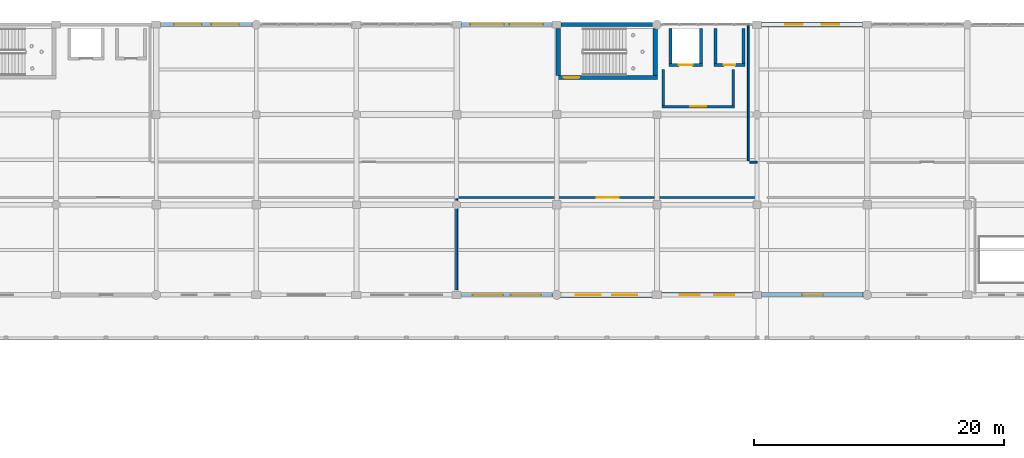
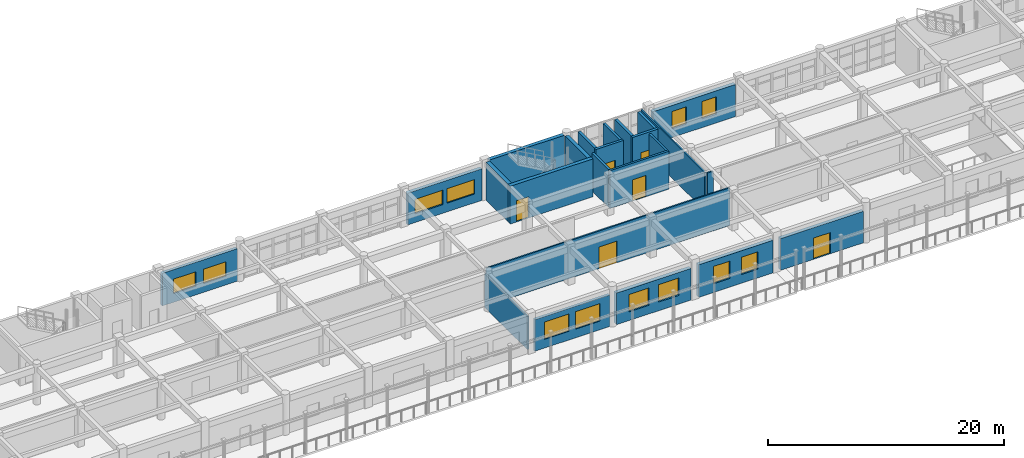
# One storey, part 171 of 195: 24 walls, 12 windows, 6 doors, 18 openings.
"""IFC4 building model written with IfcOpenShell, lengths in metres."""

from ifc_helpers import new_model, si_unit, direction, frame, frame_2d, origin, place, context, subcontext, project, spatial, rectangle, extrude, material, layer, layer_set, type_object, element, fill, save


model = new_model("IFC4")

# Units and contexts
model_context = context("Model", 3, precision=1e-05, world=origin(), true_north=direction((0.0, 1.0)))
body_context = subcontext(model_context, "Body", "Model", "MODEL_VIEW")
ifc_project = project(units=[si_unit("LENGTHUNIT", "METRE"), si_unit("AREAUNIT", "SQUARE_METRE"), si_unit("VOLUMEUNIT", "CUBIC_METRE"), si_unit("PLANEANGLEUNIT", "RADIAN"), si_unit("MASSUNIT", "GRAM", prefix="KILO")], contexts=[model_context])

# Site, building, storey
site_placement = place(None, origin())
site = spatial("IfcSite", under=ifc_project, at=site_placement, CompositionType="ELEMENT")
building_placement = place(site_placement, origin())
building = spatial("IfcBuilding", under=site, at=building_placement, Name="Kharva Crest Polytechnic", CompositionType="ELEMENT")
storey_placement = place(building_placement, frame((0.0, 0.0, 9.0)))
storey = spatial("IfcBuildingStorey", under=building, at=storey_placement, Name="L02", CompositionType="ELEMENT", Elevation=9.0)

# Wall, opening, door
ifc_material_1 = material(Name="Concrete C40/50", Category="concrete")
ifc_layer_1 = layer(ifc_material_1, 0.35009765625, Name="Concrete C40/50")
ifc_layer_set_1 = layer_set([ifc_layer_1], Name="Concrete C40/50")
wall_type_1 = type_object("IfcWallType", Name="WL-CORE-CW1-350", PredefinedType="SHEAR", material=ifc_layer_set_1)
wall_1_placement = place(storey_placement, frame((103.949951171875, 117.764892578125, 0.0), z_axis=(0.0, 0.0, 1.0), x_axis=(1.0, 0.0, 0.0)))
wall_1 = element("IfcWall", 1, at=wall_1_placement, inside=storey, type_object=wall_type_1, Name="L02 North Crest Firefighting Core C4 South Shear Wall", PredefinedType="SHEAR", context=body_context, shape_type="SweptSolid", body=[
    extrude(rectangle(XDim=8.10009765625, YDim=0.35009765625, at=frame_2d((4.050048828125, 0.0))), origin(), (0.0, 0.0, 1.0), 3.919921875),
])
opening_1_placement = place(wall_1_placement, frame((0.60009765625, 0.0, 0.0)))
opening_1 = element("IfcOpeningElement", 2, at=opening_1_placement, cuts=wall_1, Name="Opening FD1B", PredefinedType="OPENING", context=body_context, shape_type="SweptSolid", body=[
    extrude(rectangle(XDim=1.25, YDim=2.199951171875, at=frame_2d((0.625, 1.10009765625))), frame((0.0, 0.18505859375, 0.0), z_axis=(0.0, -1.0, 0.0), x_axis=(1.0, 0.0, 0.0)), (0.0, 0.0, 1.0), 0.3701171875),
])
ifc_material_2 = material(Name="Teak timber", Category="wood")
door_type_1 = type_object("IfcDoorType", Name="DR-STAIR-1250X2200", OperationType="NOTDEFINED", PredefinedType="DOOR", material=ifc_material_2)
door_1_placement = place(opening_1_placement, origin())
door_1 = element("IfcDoor", 3, at=door_1_placement, inside=storey, type_object=door_type_1, Name="L02 ST-04 Stair Door", OperationType="SINGLE_SWING_LEFT", OverallHeight=2.199951171875, OverallWidth=1.25, PredefinedType="DOOR", context=body_context, shape_type="SweptSolid", body=[
    extrude(rectangle(XDim=1.25, YDim=2.199951171875, at=frame_2d((0.625, 1.10009765625))), frame((0.0, 0.02490234375, 0.0), z_axis=(0.0, -1.0, 0.0), x_axis=(1.0, 0.0, 0.0)), (0.0, 0.0, 1.0), 0.050048828125),
])
fill(opening_1, door_1)

# Walls
for number, where, z_axis, x_axis, name in (
    (4, (104.125, 117.93994140625, 0.0), (0.0, 0.0, 1.0), (0.0, 1.0, 0.0), "L02 North Crest Firefighting Core C4 West Shear Wall"),
    (5, (111.875, 117.93994140625, 0.0), (0.0, 0.0, 1.0), (0.0, 1.0, 0.0), "L02 North Crest Firefighting Core C4 East Shear Wall"),
):
    element("IfcWall", number, at=place(storey_placement, frame(where, z_axis=z_axis, x_axis=x_axis)), inside=storey, type_object=wall_type_1, Name=name, PredefinedType="SHEAR", context=body_context, shape_type="SweptSolid", body=[
        extrude(rectangle(XDim=3.760009765625, YDim=0.35009765625, at=frame_2d((1.8798828125, 0.0))), origin(), (0.0, 0.0, 1.0), 3.919921875),
    ])

# Wall, openings, windows
ifc_material_3 = material(Name="Kiln brick masonry", Category="masonry")
ifc_layer_2 = layer(ifc_material_3, 0.260009765625, Name="Kiln brick masonry")
ifc_layer_set_2 = layer_set([ifc_layer_2], Name="Kiln brick masonry")
wall_type_2 = type_object("IfcWallType", Name="WL-EXT-BRK-260", PredefinedType="SOLIDWALL", material=ifc_layer_set_2)
wall_2_placement = place(storey_placement, frame((96.35498046875, 100.39990234375, 0.0), z_axis=(0.0, 0.0, 1.0), x_axis=(1.0, 0.0, 0.0)))
wall_2 = element("IfcWall", 6, at=wall_2_placement, inside=storey, type_object=wall_type_2, Name="L02 Exterior Brick Wall 269", PredefinedType="SOLIDWALL", context=body_context, shape_type="SweptSolid", body=[
    extrude(rectangle(XDim=7.342529296875, YDim=0.260009765625, at=frame_2d((3.67138671875, 0.0))), origin(), (0.0, 0.0, 1.0), 3.27001953125),
])
opening_2_placement = place(wall_2_placement, frame((0.9541015625, 0.0, 0.89990234375)))
opening_2 = element("IfcOpeningElement", 7, at=opening_2_placement, cuts=wall_2, Name="Opening W02", PredefinedType="OPENING", context=body_context, shape_type="SweptSolid", body=[
    extrude(rectangle(XDim=2.39990234375, YDim=1.800048828125, at=frame_2d((1.199951171875, 0.89990234375))), frame((0.0, 0.139892578125, 0.0), z_axis=(0.0, -1.0, 0.0), x_axis=(1.0, 0.0, 0.0)), (0.0, 0.0, 1.0), 0.280029296875),
])
opening_3_placement = place(wall_2_placement, frame((3.988037109375, 0.0, 0.89990234375)))
opening_3 = element("IfcOpeningElement", 8, at=opening_3_placement, cuts=wall_2, Name="Opening W02", PredefinedType="OPENING", context=body_context, shape_type="SweptSolid", body=[
    extrude(rectangle(XDim=2.39990234375, YDim=1.800048828125, at=frame_2d((1.199951171875, 0.89990234375))), frame((0.0, 0.139892578125, 0.0), z_axis=(0.0, -1.0, 0.0), x_axis=(1.0, 0.0, 0.0)), (0.0, 0.0, 1.0), 0.280029296875),
])
ifc_material_4 = material(Name="Anodised aluminium", Category="aluminium")
window_type_1 = type_object("IfcWindowType", Name="WIN-ALU-2400X1800", PartitioningType="SINGLE_PANEL", PredefinedType="WINDOW", material=ifc_material_4)
window_1_placement = place(opening_2_placement, origin())
window_1 = element("IfcWindow", 9, at=window_1_placement, inside=storey, type_object=window_type_1, Name="L02 Exterior Window 359", OverallHeight=1.800048828125, OverallWidth=2.39990234375, PartitioningType="SINGLE_PANEL", PredefinedType="WINDOW", context=body_context, shape_type="SweptSolid", body=[
    extrude(rectangle(XDim=2.39990234375, YDim=1.800048828125, at=frame_2d((1.199951171875, 0.89990234375))), frame((0.0, 0.030029296875, 0.0), z_axis=(0.0, -1.0, 0.0), x_axis=(1.0, 0.0, 0.0)), (0.0, 0.0, 1.0), 0.06005859375),
])
fill(opening_2, window_1)
window_2_placement = place(opening_3_placement, origin())
window_2 = element("IfcWindow", 10, at=window_2_placement, inside=storey, type_object=window_type_1, Name="L02 Exterior Window 360", OverallHeight=1.800048828125, OverallWidth=2.39990234375, PartitioningType="SINGLE_PANEL", PredefinedType="WINDOW", context=body_context, shape_type="SweptSolid", body=[
    extrude(rectangle(XDim=2.39990234375, YDim=1.800048828125, at=frame_2d((1.199951171875, 0.89990234375))), frame((0.0, 0.030029296875, 0.0), z_axis=(0.0, -1.0, 0.0), x_axis=(1.0, 0.0, 0.0)), (0.0, 0.0, 1.0), 0.06005859375),
])
fill(opening_3, window_2)

ifc_layer_3 = layer(ifc_material_3, 0.2900390625, Name="Kiln brick masonry")
ifc_layer_set_3 = layer_set([ifc_layer_3], Name="Kiln brick masonry")
wall_type_3 = type_object("IfcWallType", Name="WL-EXT-BRK-290", PredefinedType="SOLIDWALL", material=ifc_layer_set_3)
wall_3_placement = place(storey_placement, frame((79.697509765625, 122.0, 0.0), z_axis=(0.0, 0.0, 1.0), x_axis=(-1.0, 0.0, 0.0)))
wall_3 = element("IfcWall", 11, at=wall_3_placement, inside=storey, type_object=wall_type_3, Name="L02 Exterior Brick Wall 292", PredefinedType="SOLIDWALL", context=body_context, shape_type="SweptSolid", body=[
    extrude(rectangle(XDim=7.342529296875, YDim=0.2900390625, at=frame_2d((3.67138671875, 0.0))), origin(), (0.0, 0.0, 1.0), 3.3701171875),
])
opening_4_placement = place(wall_3_placement, frame((1.087890625, 0.0, 0.89990234375)))
opening_4 = element("IfcOpeningElement", 12, at=opening_4_placement, cuts=wall_3, Name="Opening W11", PredefinedType="OPENING", context=body_context, shape_type="SweptSolid", body=[
    extrude(rectangle(XDim=2.199951171875, YDim=1.5, at=frame_2d((1.10009765625, 0.75))), frame((0.0, 0.155029296875, 0.0), z_axis=(0.0, -1.0, 0.0), x_axis=(1.0, 0.0, 0.0)), (0.0, 0.0, 1.0), 0.31005859375),
])
opening_5_placement = place(wall_3_placement, frame((4.054931640625, 0.0, 0.89990234375)))
opening_5 = element("IfcOpeningElement", 13, at=opening_5_placement, cuts=wall_3, Name="Opening W11", PredefinedType="OPENING", context=body_context, shape_type="SweptSolid", body=[
    extrude(rectangle(XDim=2.199951171875, YDim=1.5, at=frame_2d((1.10009765625, 0.75))), frame((0.0, 0.155029296875, 0.0), z_axis=(0.0, -1.0, 0.0), x_axis=(1.0, 0.0, 0.0)), (0.0, 0.0, 1.0), 0.31005859375),
])
window_type_2 = type_object("IfcWindowType", Name="WIN-ALU-2200X1500", PartitioningType="SINGLE_PANEL", PredefinedType="WINDOW", material=ifc_material_4)
window_3_placement = place(opening_4_placement, origin())
window_3 = element("IfcWindow", 14, at=window_3_placement, inside=storey, type_object=window_type_2, Name="L02 Exterior Window 392", OverallHeight=1.5, OverallWidth=2.199951171875, PartitioningType="SINGLE_PANEL", PredefinedType="WINDOW", context=body_context, shape_type="SweptSolid", body=[
    extrude(rectangle(XDim=2.199951171875, YDim=1.5, at=frame_2d((1.10009765625, 0.75))), frame((0.0, 0.030029296875, 0.0), z_axis=(0.0, -1.0, 0.0), x_axis=(1.0, 0.0, 0.0)), (0.0, 0.0, 1.0), 0.06005859375),
])
fill(opening_4, window_3)
window_4_placement = place(opening_5_placement, origin())
window_4 = element("IfcWindow", 15, at=window_4_placement, inside=storey, type_object=window_type_2, Name="L02 Exterior Window 393", OverallHeight=1.5, OverallWidth=2.199951171875, PartitioningType="SINGLE_PANEL", PredefinedType="WINDOW", context=body_context, shape_type="SweptSolid", body=[
    extrude(rectangle(XDim=2.199951171875, YDim=1.5, at=frame_2d((1.10009765625, 0.75))), frame((0.0, 0.030029296875, 0.0), z_axis=(0.0, -1.0, 0.0), x_axis=(1.0, 0.0, 0.0)), (0.0, 0.0, 1.0), 0.06005859375),
])
fill(opening_5, window_4)

ifc_layer_4 = layer(ifc_material_3, 0.3349609375, Name="Kiln brick masonry")
ifc_layer_set_4 = layer_set([ifc_layer_4], Name="Kiln brick masonry")
wall_type_4 = type_object("IfcWallType", Name="WL-EXT-BRK-335", PredefinedType="SOLIDWALL", material=ifc_layer_set_4)
wall_4_placement = place(storey_placement, frame((103.64501953125, 122.0, 0.0), z_axis=(0.0, 0.0, 1.0), x_axis=(-1.0, 0.0, 0.0)))
wall_4 = element("IfcWall", 16, at=wall_4_placement, inside=storey, type_object=wall_type_4, Name="L02 Exterior Brick Wall 291", PredefinedType="SOLIDWALL", context=body_context, shape_type="SweptSolid", body=[
    extrude(rectangle(XDim=7.27490234375, YDim=0.3349609375, at=frame_2d((3.637451171875, 0.0))), origin(), (0.0, 0.0, 1.0), 3.27001953125),
])
opening_6_placement = place(wall_4_placement, frame((0.73193359375, 0.0, 0.89990234375)))
opening_6 = element("IfcOpeningElement", 17, at=opening_6_placement, cuts=wall_4, Name="Opening W09", PredefinedType="OPENING", context=body_context, shape_type="SweptSolid", body=[
    extrude(rectangle(XDim=2.699951171875, YDim=1.5, at=frame_2d((1.35009765625, 0.75))), frame((0.0, 0.177490234375, 0.0), z_axis=(0.0, -1.0, 0.0), x_axis=(1.0, 0.0, 0.0)), (0.0, 0.0, 1.0), 0.35498046875),
])
opening_7_placement = place(wall_4_placement, frame((3.843017578125, 0.0, 0.89990234375)))
opening_7 = element("IfcOpeningElement", 18, at=opening_7_placement, cuts=wall_4, Name="Opening W09", PredefinedType="OPENING", context=body_context, shape_type="SweptSolid", body=[
    extrude(rectangle(XDim=2.699951171875, YDim=1.5, at=frame_2d((1.35009765625, 0.75))), frame((0.0, 0.177490234375, 0.0), z_axis=(0.0, -1.0, 0.0), x_axis=(1.0, 0.0, 0.0)), (0.0, 0.0, 1.0), 0.35498046875),
])
window_type_3 = type_object("IfcWindowType", Name="WIN-ALU-2700X1500", PartitioningType="SINGLE_PANEL", PredefinedType="WINDOW", material=ifc_material_4)
window_5_placement = place(opening_6_placement, origin())
window_5 = element("IfcWindow", 19, at=window_5_placement, inside=storey, type_object=window_type_3, Name="L02 Exterior Window 390", OverallHeight=1.5, OverallWidth=2.699951171875, PartitioningType="SINGLE_PANEL", PredefinedType="WINDOW", context=body_context, shape_type="SweptSolid", body=[
    extrude(rectangle(XDim=2.699951171875, YDim=1.5, at=frame_2d((1.35009765625, 0.75))), frame((0.0, 0.030029296875, 0.0), z_axis=(0.0, -1.0, 0.0), x_axis=(1.0, 0.0, 0.0)), (0.0, 0.0, 1.0), 0.06005859375),
])
fill(opening_6, window_5)
window_6_placement = place(opening_7_placement, origin())
window_6 = element("IfcWindow", 20, at=window_6_placement, inside=storey, type_object=window_type_3, Name="L02 Exterior Window 391", OverallHeight=1.5, OverallWidth=2.699951171875, PartitioningType="SINGLE_PANEL", PredefinedType="WINDOW", context=body_context, shape_type="SweptSolid", body=[
    extrude(rectangle(XDim=2.699951171875, YDim=1.5, at=frame_2d((1.35009765625, 0.75))), frame((0.0, 0.030029296875, 0.0), z_axis=(0.0, -1.0, 0.0), x_axis=(1.0, 0.0, 0.0)), (0.0, 0.0, 1.0), 0.06005859375),
])
fill(opening_7, window_6)

# Wall, opening, door
ifc_layer_5 = layer(ifc_material_3, 0.35009765625, Name="Kiln brick masonry")
ifc_layer_set_5 = layer_set([ifc_layer_5], Name="Kiln brick masonry")
wall_type_5 = type_object("IfcWallType", Name="WL-EXT-BRK-350", PredefinedType="SOLIDWALL", material=ifc_layer_set_5)
wall_5_placement = place(storey_placement, frame((120.3701171875, 100.39990234375, 0.0), z_axis=(0.0, 0.0, 1.0), x_axis=(1.0, 0.0, 0.0)))
wall_5 = element("IfcWall", 21, at=wall_5_placement, inside=storey, type_object=wall_type_5, Name="L02 Exterior Brick Wall 272", PredefinedType="SOLIDWALL", context=body_context, shape_type="SweptSolid", body=[
    extrude(rectangle(XDim=8.12744140625, YDim=0.35009765625, at=frame_2d((4.063720703125, 0.0))), origin(), (0.0, 0.0, 1.0), 3.27001953125),
])
opening_8_placement = place(wall_5_placement, frame((3.239013671875, 0.0, 0.0)))
opening_8 = element("IfcOpeningElement", 22, at=opening_8_placement, cuts=wall_5, Name="Opening ED7", PredefinedType="OPENING", context=body_context, shape_type="SweptSolid", body=[
    extrude(rectangle(XDim=1.64990234375, YDim=2.199951171875, at=frame_2d((0.824951171875, 1.10009765625))), frame((0.0, 0.18505859375, 0.0), z_axis=(0.0, -1.0, 0.0), x_axis=(1.0, 0.0, 0.0)), (0.0, 0.0, 1.0), 0.3701171875),
])
door_type_2 = type_object("IfcDoorType", Name="DR-EXT-TER-1650X2200", OperationType="NOTDEFINED", PredefinedType="DOOR", material=ifc_material_4)
door_2_placement = place(opening_8_placement, frame((1.64990234375, 0.0, 0.0), z_axis=(0.0, 0.0, 1.0), x_axis=(-1.0, 0.0, 0.0)))
door_2 = element("IfcDoor", 23, at=door_2_placement, inside=storey, type_object=door_type_2, Name="L02 VER_N_L02 Access Door 48", OperationType="DOUBLE_DOOR_SINGLE_SWING", OverallHeight=2.199951171875, OverallWidth=1.64990234375, PredefinedType="DOOR", context=body_context, shape_type="SweptSolid", body=[
    extrude(rectangle(XDim=1.64990234375, YDim=2.199951171875, at=frame_2d((0.824951171875, 1.10009765625))), frame((0.0, 0.02490234375, 0.0), z_axis=(0.0, -1.0, 0.0), x_axis=(1.0, 0.0, 0.0)), (0.0, 0.0, 1.0), 0.050048828125),
])
fill(opening_8, door_2)

# Wall
wall_6_placement = place(storey_placement, frame((111.697509765625, 122.0, 0.0), z_axis=(0.0, 0.0, 1.0), x_axis=(-1.0, 0.0, 0.0)))
element("IfcWall", 24, at=wall_6_placement, inside=storey, type_object=wall_type_5, Name="L02 Exterior Brick Wall 290", PredefinedType="SOLIDWALL", context=body_context, shape_type="SweptSolid", body=[
    extrude(rectangle(XDim=7.342529296875, YDim=0.35009765625, at=frame_2d((3.67138671875, 0.0))), origin(), (0.0, 0.0, 1.0), 3.919921875),
])

# Wall, openings, windows
ifc_layer_6 = layer(ifc_material_3, 0.364990234375, Name="Kiln brick masonry")
ifc_layer_set_6 = layer_set([ifc_layer_6], Name="Kiln brick masonry")
wall_type_6 = type_object("IfcWallType", Name="WL-EXT-BRK-365", PredefinedType="SOLIDWALL", material=ifc_layer_set_6)
wall_7_placement = place(storey_placement, frame((112.3701171875, 100.39990234375, 0.0), z_axis=(0.0, 0.0, 1.0), x_axis=(1.0, 0.0, 0.0)))
wall_7 = element("IfcWall", 25, at=wall_7_placement, inside=storey, type_object=wall_type_6, Name="L02 Exterior Brick Wall 271", PredefinedType="SOLIDWALL", context=body_context, shape_type="SweptSolid", body=[
    extrude(rectangle(XDim=7.259765625, YDim=0.364990234375, at=frame_2d((3.6298828125, 0.0))), origin(), (0.0, 0.0, 1.0), 3.3701171875),
])
opening_9_placement = place(wall_7_placement, frame((1.4599609375, 0.0, 0.89990234375)))
opening_9 = element("IfcOpeningElement", 26, at=opening_9_placement, cuts=wall_7, Name="Opening W06", PredefinedType="OPENING", context=body_context, shape_type="SweptSolid", body=[
    extrude(rectangle(XDim=1.60009765625, YDim=1.800048828125, at=frame_2d((0.800048828125, 0.89990234375))), frame((0.0, 0.1923828125, 0.0), z_axis=(0.0, -1.0, 0.0), x_axis=(1.0, 0.0, 0.0)), (0.0, 0.0, 1.0), 0.385009765625),
])
opening_10_placement = place(wall_7_placement, frame((4.199951171875, 0.0, 0.89990234375)))
opening_10 = element("IfcOpeningElement", 27, at=opening_10_placement, cuts=wall_7, Name="Opening W06", PredefinedType="OPENING", context=body_context, shape_type="SweptSolid", body=[
    extrude(rectangle(XDim=1.60009765625, YDim=1.800048828125, at=frame_2d((0.800048828125, 0.89990234375))), frame((0.0, 0.1923828125, 0.0), z_axis=(0.0, -1.0, 0.0), x_axis=(1.0, 0.0, 0.0)), (0.0, 0.0, 1.0), 0.385009765625),
])
window_type_4 = type_object("IfcWindowType", Name="WIN-ALU-1600X1800", PartitioningType="SINGLE_PANEL", PredefinedType="WINDOW", material=ifc_material_4)
window_7_placement = place(opening_9_placement, origin())
window_7 = element("IfcWindow", 28, at=window_7_placement, inside=storey, type_object=window_type_4, Name="L02 Exterior Window 363", OverallHeight=1.800048828125, OverallWidth=1.60009765625, PartitioningType="SINGLE_PANEL", PredefinedType="WINDOW", context=body_context, shape_type="SweptSolid", body=[
    extrude(rectangle(XDim=1.60009765625, YDim=1.800048828125, at=frame_2d((0.800048828125, 0.89990234375))), frame((0.0, 0.030029296875, 0.0), z_axis=(0.0, -1.0, 0.0), x_axis=(1.0, 0.0, 0.0)), (0.0, 0.0, 1.0), 0.06005859375),
])
fill(opening_9, window_7)
window_8_placement = place(opening_10_placement, origin())
window_8 = element("IfcWindow", 29, at=window_8_placement, inside=storey, type_object=window_type_4, Name="L02 Exterior Window 364", OverallHeight=1.800048828125, OverallWidth=1.60009765625, PartitioningType="SINGLE_PANEL", PredefinedType="WINDOW", context=body_context, shape_type="SweptSolid", body=[
    extrude(rectangle(XDim=1.60009765625, YDim=1.800048828125, at=frame_2d((0.800048828125, 0.89990234375))), frame((0.0, 0.030029296875, 0.0), z_axis=(0.0, -1.0, 0.0), x_axis=(1.0, 0.0, 0.0)), (0.0, 0.0, 1.0), 0.06005859375),
])
fill(opening_10, window_8)

ifc_layer_7 = layer(ifc_material_3, 0.3798828125, Name="Kiln brick masonry")
ifc_layer_set_7 = layer_set([ifc_layer_7], Name="Kiln brick masonry")
wall_type_7 = type_object("IfcWallType", Name="WL-EXT-BRK-380", PredefinedType="SOLIDWALL", material=ifc_layer_set_7)
wall_8_placement = place(storey_placement, frame((104.302490234375, 100.39990234375, 0.0), z_axis=(0.0, 0.0, 1.0), x_axis=(1.0, 0.0, 0.0)))
wall_8 = element("IfcWall", 30, at=wall_8_placement, inside=storey, type_object=wall_type_7, Name="L02 Exterior Brick Wall 270", PredefinedType="SOLIDWALL", context=body_context, shape_type="SweptSolid", body=[
    extrude(rectangle(XDim=7.327392578125, YDim=0.3798828125, at=frame_2d((3.66357421875, 0.0))), origin(), (0.0, 0.0, 1.0), 3.27001953125),
])
opening_11_placement = place(wall_8_placement, frame((1.216064453125, 0.0, 0.89990234375)))
opening_11 = element("IfcOpeningElement", 31, at=opening_11_placement, cuts=wall_8, Name="Opening W04", PredefinedType="OPENING", context=body_context, shape_type="SweptSolid", body=[
    extrude(rectangle(XDim=2.0, YDim=1.800048828125, at=frame_2d((1.0, 0.89990234375))), frame((0.0, 0.199951171875, 0.0), z_axis=(0.0, -1.0, 0.0), x_axis=(1.0, 0.0, 0.0)), (0.0, 0.0, 1.0), 0.39990234375),
])
opening_12_placement = place(wall_8_placement, frame((4.112060546875, 0.0, 0.89990234375)))
opening_12 = element("IfcOpeningElement", 32, at=opening_12_placement, cuts=wall_8, Name="Opening W04", PredefinedType="OPENING", context=body_context, shape_type="SweptSolid", body=[
    extrude(rectangle(XDim=2.0, YDim=1.800048828125, at=frame_2d((1.0, 0.89990234375))), frame((0.0, 0.199951171875, 0.0), z_axis=(0.0, -1.0, 0.0), x_axis=(1.0, 0.0, 0.0)), (0.0, 0.0, 1.0), 0.39990234375),
])
window_type_5 = type_object("IfcWindowType", Name="WIN-ALU-2000X1800", PartitioningType="SINGLE_PANEL", PredefinedType="WINDOW", material=ifc_material_4)
window_9_placement = place(opening_11_placement, origin())
window_9 = element("IfcWindow", 33, at=window_9_placement, inside=storey, type_object=window_type_5, Name="L02 Exterior Window 361", OverallHeight=1.800048828125, OverallWidth=2.0, PartitioningType="SINGLE_PANEL", PredefinedType="WINDOW", context=body_context, shape_type="SweptSolid", body=[
    extrude(rectangle(XDim=2.0, YDim=1.800048828125, at=frame_2d((1.0, 0.89990234375))), frame((0.0, 0.030029296875, 0.0), z_axis=(0.0, -1.0, 0.0), x_axis=(1.0, 0.0, 0.0)), (0.0, 0.0, 1.0), 0.06005859375),
])
fill(opening_11, window_9)
window_10_placement = place(opening_12_placement, origin())
window_10 = element("IfcWindow", 34, at=window_10_placement, inside=storey, type_object=window_type_5, Name="L02 Exterior Window 362", OverallHeight=1.800048828125, OverallWidth=2.0, PartitioningType="SINGLE_PANEL", PredefinedType="WINDOW", context=body_context, shape_type="SweptSolid", body=[
    extrude(rectangle(XDim=2.0, YDim=1.800048828125, at=frame_2d((1.0, 0.89990234375))), frame((0.0, 0.030029296875, 0.0), z_axis=(0.0, -1.0, 0.0), x_axis=(1.0, 0.0, 0.0)), (0.0, 0.0, 1.0), 0.06005859375),
])
fill(opening_12, window_10)

wall_9_placement = place(storey_placement, frame((128.445068359375, 122.0, 0.0), z_axis=(0.0, 0.0, 1.0), x_axis=(-1.0, 0.0, 0.0)))
wall_9 = element("IfcWall", 35, at=wall_9_placement, inside=storey, type_object=wall_type_7, Name="L02 Exterior Brick Wall 289", PredefinedType="SOLIDWALL", context=body_context, shape_type="SweptSolid", body=[
    extrude(rectangle(XDim=8.074951171875, YDim=0.3798828125, at=frame_2d((4.03759765625, 0.0))), origin(), (0.0, 0.0, 1.0), 3.320068359375),
])
opening_13_placement = place(wall_9_placement, frame((1.864990234375, 0.0, 0.89990234375)))
opening_13 = element("IfcOpeningElement", 36, at=opening_13_placement, cuts=wall_9, Name="Opening W07", PredefinedType="OPENING", context=body_context, shape_type="SweptSolid", body=[
    extrude(rectangle(XDim=1.39990234375, YDim=1.800048828125, at=frame_2d((0.699951171875, 0.89990234375))), frame((0.0, 0.199951171875, 0.0), z_axis=(0.0, -1.0, 0.0), x_axis=(1.0, 0.0, 0.0)), (0.0, 0.0, 1.0), 0.39990234375),
])
opening_14_placement = place(wall_9_placement, frame((4.81005859375, 0.0, 0.89990234375)))
opening_14 = element("IfcOpeningElement", 37, at=opening_14_placement, cuts=wall_9, Name="Opening W07", PredefinedType="OPENING", context=body_context, shape_type="SweptSolid", body=[
    extrude(rectangle(XDim=1.39990234375, YDim=1.800048828125, at=frame_2d((0.699951171875, 0.89990234375))), frame((0.0, 0.199951171875, 0.0), z_axis=(0.0, -1.0, 0.0), x_axis=(1.0, 0.0, 0.0)), (0.0, 0.0, 1.0), 0.39990234375),
])
window_type_6 = type_object("IfcWindowType", Name="WIN-ALU-1400X1800", PartitioningType="SINGLE_PANEL", PredefinedType="WINDOW", material=ifc_material_4)
window_11_placement = place(opening_13_placement, origin())
window_11 = element("IfcWindow", 38, at=window_11_placement, inside=storey, type_object=window_type_6, Name="L02 Exterior Window 388", OverallHeight=1.800048828125, OverallWidth=1.39990234375, PartitioningType="SINGLE_PANEL", PredefinedType="WINDOW", context=body_context, shape_type="SweptSolid", body=[
    extrude(rectangle(XDim=1.39990234375, YDim=1.800048828125, at=frame_2d((0.699951171875, 0.89990234375))), frame((0.0, 0.030029296875, 0.0), z_axis=(0.0, -1.0, 0.0), x_axis=(1.0, 0.0, 0.0)), (0.0, 0.0, 1.0), 0.06005859375),
])
fill(opening_13, window_11)
window_12_placement = place(opening_14_placement, origin())
window_12 = element("IfcWindow", 39, at=window_12_placement, inside=storey, type_object=window_type_6, Name="L02 Exterior Window 389", OverallHeight=1.800048828125, OverallWidth=1.39990234375, PartitioningType="SINGLE_PANEL", PredefinedType="WINDOW", context=body_context, shape_type="SweptSolid", body=[
    extrude(rectangle(XDim=1.39990234375, YDim=1.800048828125, at=frame_2d((0.699951171875, 0.89990234375))), frame((0.0, 0.030029296875, 0.0), z_axis=(0.0, -1.0, 0.0), x_axis=(1.0, 0.0, 0.0)), (0.0, 0.0, 1.0), 0.06005859375),
])
fill(opening_14, window_12)

# Wall, opening, door
ifc_layer_8 = layer(ifc_material_3, 0.199951171875, Name="Kiln brick masonry")
ifc_layer_set_8 = layer_set([ifc_layer_8], Name="Kiln brick masonry")
wall_type_8 = type_object("IfcWallType", Name="WL-FIRE-FW1-200", PredefinedType="SOLIDWALL", material=ifc_layer_set_8)
wall_10_placement = place(storey_placement, frame((112.39990234375, 115.449951171875, 0.0), z_axis=(0.0, 0.0, 1.0), x_axis=(1.0, 0.0, 0.0)))
wall_10 = element("IfcWall", 40, at=wall_10_placement, inside=storey, type_object=wall_type_8, Name="L02 Firefighting Lobby FL1 South Wall", PredefinedType="SOLIDWALL", context=body_context, shape_type="SweptSolid", body=[
    extrude(rectangle(XDim=5.800048828125, YDim=0.199951171875, at=frame_2d((2.89990234375, 0.0))), origin(), (0.0, 0.0, 1.0), 3.919921875),
])
opening_15_placement = place(wall_10_placement, frame((2.25, 0.0, 0.0)))
opening_15 = element("IfcOpeningElement", 41, at=opening_15_placement, cuts=wall_10, Name="Opening FD2", PredefinedType="OPENING", context=body_context, shape_type="SweptSolid", body=[
    extrude(rectangle(XDim=1.300048828125, YDim=2.199951171875, at=frame_2d((0.64990234375, 1.10009765625))), frame((0.0, 0.10986328125, 0.0), z_axis=(0.0, -1.0, 0.0), x_axis=(1.0, 0.0, 0.0)), (0.0, 0.0, 1.0), 0.219970703125),
])
door_type_3 = type_object("IfcDoorType", Name="DR-FFLOB-1300X2200", OperationType="NOTDEFINED", PredefinedType="DOOR", material=ifc_material_2)
door_3_placement = place(opening_15_placement, origin())
door_3 = element("IfcDoor", 42, at=door_3_placement, inside=storey, type_object=door_type_3, Name="L02 Firefighting Lobby FL1 Smoke Door", OperationType="SINGLE_SWING_RIGHT", OverallHeight=2.199951171875, OverallWidth=1.300048828125, PredefinedType="DOOR", context=body_context, shape_type="SweptSolid", body=[
    extrude(rectangle(XDim=1.300048828125, YDim=2.199951171875, at=frame_2d((0.64990234375, 1.10009765625))), frame((0.0, 0.02490234375, 0.0), z_axis=(0.0, -1.0, 0.0), x_axis=(1.0, 0.0, 0.0)), (0.0, 0.0, 1.0), 0.050048828125),
])
fill(opening_15, door_3)

# Walls
for number, where, z_axis, x_axis, name in (
    (43, (112.5, 115.550048828125, 0.0), (0.0, 0.0, 1.0), (0.0, 1.0, 0.0), "L02 Firefighting Lobby FL1 West Wall"),
    (44, (118.10009765625, 115.550048828125, 0.0), (0.0, 0.0, 1.0), (0.0, 1.0, 0.0), "L02 Firefighting Lobby FL1 East Wall"),
):
    element("IfcWall", number, at=place(storey_placement, frame(where, z_axis=z_axis, x_axis=x_axis)), inside=storey, type_object=wall_type_8, Name=name, PredefinedType="SOLIDWALL", context=body_context, shape_type="SweptSolid", body=[
        extrude(rectangle(XDim=2.849853515625, YDim=0.199951171875, at=frame_2d((1.4248046875, 0.0))), origin(), (0.0, 0.0, 1.0), 3.919921875),
    ])

# Wall, opening, door
ifc_layer_9 = layer(ifc_material_3, 0.139892578125, Name="Kiln brick masonry")
ifc_layer_set_9 = layer_set([ifc_layer_9], Name="Kiln brick masonry")
wall_type_9 = type_object("IfcWallType", Name="WL-PART-140", PredefinedType="PARTITIONING", material=ifc_layer_set_9)
wall_11_placement = place(storey_placement, frame((96.1201171875, 108.18994140625, 0.0), z_axis=(0.0, 0.0, 1.0), x_axis=(1.0, 0.0, 0.0)))
wall_11 = element("IfcWall", 45, at=wall_11_placement, inside=storey, type_object=wall_type_9, Name="L02 Interior Partition 244 W", PredefinedType="PARTITIONING", context=body_context, shape_type="SweptSolid", body=[
    extrude(rectangle(XDim=23.8798828125, YDim=0.139892578125, at=frame_2d((11.93994140625, 0.0))), origin(), (0.0, 0.0, 1.0), 3.89990234375),
])
opening_16_placement = place(wall_11_placement, frame((11.06494140625, 0.0, 0.0)))
opening_16 = element("IfcOpeningElement", 46, at=opening_16_placement, cuts=wall_11, Name="Opening ID5", PredefinedType="OPENING", context=body_context, shape_type="SweptSolid", body=[
    extrude(rectangle(XDim=1.75, YDim=2.25, at=frame_2d((0.875, 1.125))), frame((0.0, 0.079833984375, 0.0), z_axis=(0.0, -1.0, 0.0), x_axis=(1.0, 0.0, 0.0)), (0.0, 0.0, 1.0), 0.159912109375),
])
door_type_4 = type_object("IfcDoorType", Name="DR-LIB-DBL-1750X2250", OperationType="NOTDEFINED", PredefinedType="DOOR", material=ifc_material_2)
door_4_placement = place(opening_16_placement, origin())
door_4 = element("IfcDoor", 47, at=door_4_placement, inside=storey, type_object=door_type_4, Name="L02 Book Stack Hall L02 Door", OperationType="DOUBLE_DOOR_SINGLE_SWING", OverallHeight=2.25, OverallWidth=1.75, PredefinedType="DOOR", context=body_context, shape_type="SweptSolid", body=[
    extrude(rectangle(XDim=1.75, YDim=2.25, at=frame_2d((0.875, 1.125))), frame((0.0, 0.02490234375, 0.0), z_axis=(0.0, -1.0, 0.0), x_axis=(1.0, 0.0, 0.0)), (0.0, 0.0, 1.0), 0.050048828125),
])
fill(opening_16, door_4)

# Walls
wall_12_placement = place(storey_placement, frame((119.300048828125, 111.1201171875, 0.0), z_axis=(0.0, 0.0, 1.0), x_axis=(0.0, 1.0, 0.0)))
element("IfcWall", 48, at=wall_12_placement, inside=storey, type_object=wall_type_9, Name="L02 Interior Partition 254", PredefinedType="PARTITIONING", context=body_context, shape_type="SweptSolid", body=[
    extrude(rectangle(XDim=10.769775390625, YDim=0.139892578125, at=frame_2d((5.384765625, 0.0))), origin(), (0.0, 0.0, 1.0), 3.89990234375),
])
ifc_layer_10 = layer(ifc_material_3, 0.14990234375, Name="Kiln brick masonry")
ifc_layer_set_10 = layer_set([ifc_layer_10], Name="Kiln brick masonry")
wall_type_10 = type_object("IfcWallType", Name="WL-PART-150", PredefinedType="PARTITIONING", material=ifc_layer_set_10)
wall_13_placement = place(storey_placement, frame((96.0, 100.804931640625, 0.0), z_axis=(0.0, 0.0, 1.0), x_axis=(0.0, 1.0, 0.0)))
element("IfcWall", 49, at=wall_13_placement, inside=storey, type_object=wall_type_10, Name="L02 Interior Partition 243", PredefinedType="PARTITIONING", context=body_context, shape_type="SweptSolid", body=[
    extrude(rectangle(XDim=7.275146484375, YDim=0.14990234375, at=frame_2d((3.6376953125, 0.0))), origin(), (0.0, 0.0, 1.0), 3.43994140625),
])
wall_14_placement = place(storey_placement, frame((119.409912109375, 111.010009765625, 0.0), z_axis=(0.0, 0.0, 1.0), x_axis=(1.0, 0.0, 0.0)))
element("IfcWall", 50, at=wall_14_placement, inside=storey, type_object=wall_type_10, Name="L02 Interior Partition 253 W", PredefinedType="PARTITIONING", context=body_context, shape_type="SweptSolid", body=[
    extrude(rectangle(XDim=0.590087890625, YDim=0.14990234375, at=frame_2d((0.294921875, 0.0))), origin(), (0.0, 0.0, 1.0), 3.89990234375),
])

# Wall, opening, door
ifc_layer_11 = layer(ifc_material_1, 0.25, Name="Concrete C40/50")
ifc_layer_set_11 = layer_set([ifc_layer_11], Name="Concrete C40/50")
wall_type_11 = type_object("IfcWallType", Name="WL-SHEAR-SW1-250", PredefinedType="SHEAR", material=ifc_layer_set_11)
wall_15_placement = place(storey_placement, frame((112.949951171875, 118.77490234375, 0.0), z_axis=(0.0, 0.0, 1.0), x_axis=(1.0, 0.0, 0.0)))
wall_15 = element("IfcWall", 51, at=wall_15_placement, inside=storey, type_object=wall_type_11, Name="L02 Lift FL1 South Shaft Wall", PredefinedType="SHEAR", context=body_context, shape_type="SweptSolid", body=[
    extrude(rectangle(XDim=2.699951171875, YDim=0.25, at=frame_2d((1.35009765625, 0.0))), origin(), (0.0, 0.0, 1.0), 3.919921875),
])
opening_17_placement = place(wall_15_placement, frame((0.800048828125, 0.0, 0.0)))
opening_17 = element("IfcOpeningElement", 52, at=opening_17_placement, cuts=wall_15, Name="Opening LD1", PredefinedType="OPENING", context=body_context, shape_type="SweptSolid", body=[
    extrude(rectangle(XDim=1.10009765625, YDim=2.14990234375, at=frame_2d((0.550048828125, 1.074951171875))), frame((0.0, 0.135009765625, 0.0), z_axis=(0.0, -1.0, 0.0), x_axis=(1.0, 0.0, 0.0)), (0.0, 0.0, 1.0), 0.27001953125),
])
door_type_5 = type_object("IfcDoorType", Name="DR-LIFT-LD1-1100X2150", OperationType="SLIDING_TO_LEFT", PredefinedType="DOOR", material=ifc_material_4)
door_5_placement = place(opening_17_placement, origin())
door_5 = element("IfcDoor", 53, at=door_5_placement, inside=storey, type_object=door_type_5, Name="L02 Lift FL1 Sliding Landing Door", OperationType="SLIDING_TO_LEFT", OverallHeight=2.14990234375, OverallWidth=1.10009765625, PredefinedType="DOOR", context=body_context, shape_type="SweptSolid", body=[
    extrude(rectangle(XDim=1.10009765625, YDim=2.14990234375, at=frame_2d((0.550048828125, 1.074951171875))), frame((0.0, 0.02490234375, 0.0), z_axis=(0.0, -1.0, 0.0), x_axis=(1.0, 0.0, 0.0)), (0.0, 0.0, 1.0), 0.050048828125),
])
fill(opening_17, door_5)

# Walls
for number, where, z_axis, x_axis, name in (
    (54, (113.074951171875, 118.89990234375, 0.0), (0.0, 0.0, 1.0), (0.0, 1.0, 0.0), "L02 Lift FL1 West Shaft Wall"),
    (55, (115.52490234375, 118.89990234375, 0.0), (0.0, 0.0, 1.0), (0.0, 1.0, 0.0), "L02 Lift FL1 East Shaft Wall"),
):
    element("IfcWall", number, at=place(storey_placement, frame(where, z_axis=z_axis, x_axis=x_axis)), inside=storey, type_object=wall_type_11, Name=name, PredefinedType="SHEAR", context=body_context, shape_type="SweptSolid", body=[
        extrude(rectangle(XDim=2.800048828125, YDim=0.25, at=frame_2d((1.39990234375, 0.0))), origin(), (0.0, 0.0, 1.0), 3.919921875),
    ])

# Wall, opening, door
wall_16_placement = place(storey_placement, frame((116.550048828125, 118.77490234375, 0.0), z_axis=(0.0, 0.0, 1.0), x_axis=(1.0, 0.0, 0.0)))
wall_16 = element("IfcWall", 56, at=wall_16_placement, inside=storey, type_object=wall_type_11, Name="L02 Core C4 Riser South Wall", PredefinedType="SHEAR", context=body_context, shape_type="SweptSolid", body=[
    extrude(rectangle(XDim=2.5, YDim=0.25, at=frame_2d((1.25, 0.0))), origin(), (0.0, 0.0, 1.0), 3.919921875),
])
opening_18_placement = place(wall_16_placement, frame((0.800048828125, 0.0, 0.0)))
opening_18 = element("IfcOpeningElement", 57, at=opening_18_placement, cuts=wall_16, Name="Opening FD3", PredefinedType="OPENING", context=body_context, shape_type="SweptSolid", body=[
    extrude(rectangle(XDim=0.89990234375, YDim=2.050048828125, at=frame_2d((0.449951171875, 1.02490234375))), frame((0.0, 0.135009765625, 0.0), z_axis=(0.0, -1.0, 0.0), x_axis=(1.0, 0.0, 0.0)), (0.0, 0.0, 1.0), 0.27001953125),
])
door_type_6 = type_object("IfcDoorType", Name="DR-RISER-900X2050", OperationType="NOTDEFINED", PredefinedType="DOOR", material=ifc_material_4)
door_6_placement = place(opening_18_placement, origin())
door_6 = element("IfcDoor", 58, at=door_6_placement, inside=storey, type_object=door_type_6, Name="L02 Core C4 Riser Access Door", OperationType="SINGLE_SWING_LEFT", OverallHeight=2.050048828125, OverallWidth=0.89990234375, PredefinedType="DOOR", context=body_context, shape_type="SweptSolid", body=[
    extrude(rectangle(XDim=0.89990234375, YDim=2.050048828125, at=frame_2d((0.449951171875, 1.02490234375))), frame((0.0, 0.02490234375, 0.0), z_axis=(0.0, -1.0, 0.0), x_axis=(1.0, 0.0, 0.0)), (0.0, 0.0, 1.0), 0.050048828125),
])
fill(opening_18, door_6)

# Walls
for number, where, z_axis, x_axis, name in (
    (59, (116.675048828125, 118.89990234375, 0.0), (0.0, 0.0, 1.0), (0.0, 1.0, 0.0), "L02 Core C4 Riser West Wall"),
    (60, (118.925048828125, 118.89990234375, 0.0), (0.0, 0.0, 1.0), (0.0, 1.0, 0.0), "L02 Core C4 Riser East Wall"),
):
    element("IfcWall", number, at=place(storey_placement, frame(where, z_axis=z_axis, x_axis=x_axis)), inside=storey, type_object=wall_type_11, Name=name, PredefinedType="SHEAR", context=body_context, shape_type="SweptSolid", body=[
        extrude(rectangle(XDim=2.800048828125, YDim=0.25, at=frame_2d((1.39990234375, 0.0))), origin(), (0.0, 0.0, 1.0), 3.919921875),
    ])

save(model, "model.ifc")
